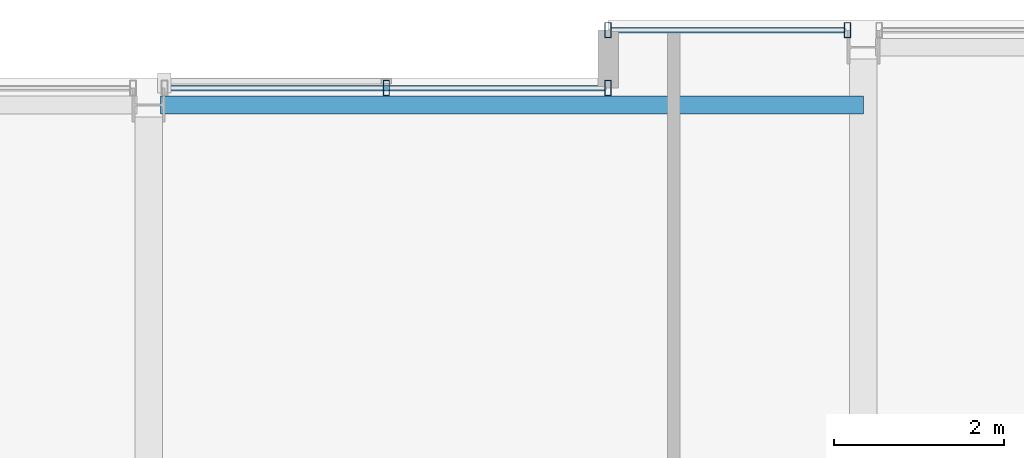
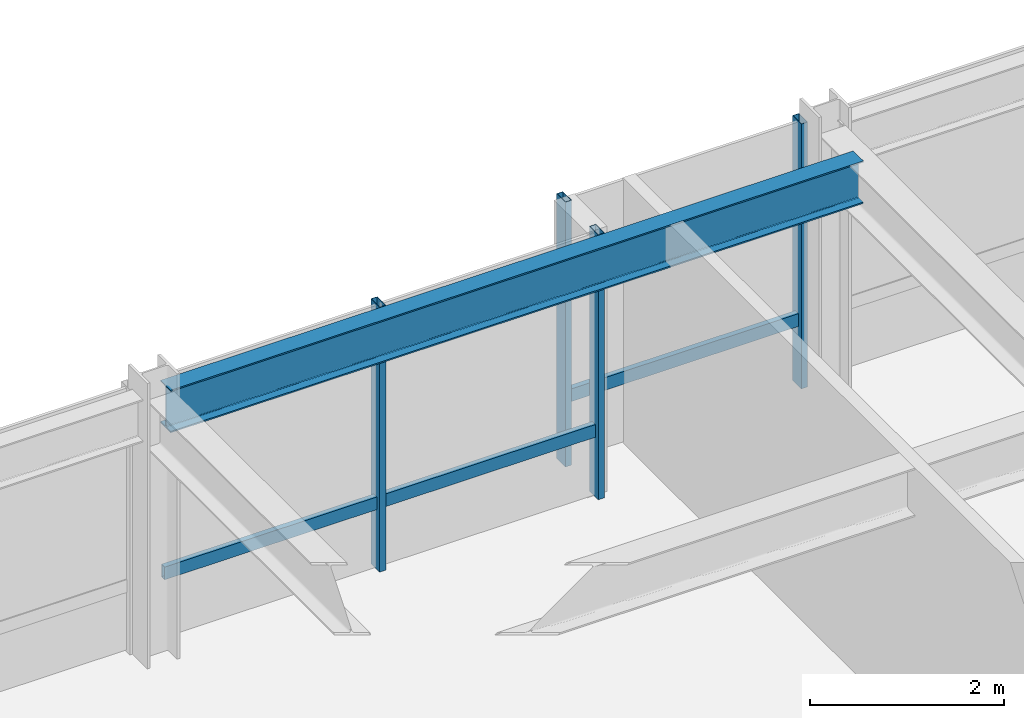
# One storey, part 21 of 32: 6 members, 1 beam, 2 elements without a shape of their own.
"""IFC4 building model written with IfcOpenShell, lengths in metres."""

from ifc_helpers import new_model, si_unit, direction, frame, origin, origin_2d, place, context, subcontext, project, spatial, hollow_rectangle, i_section, extrude, material, layer, layer_set, material_profile, profile_set, type_object, element, aggregate, save


model = new_model("IFC4")

# Units and contexts
model_context = context("Model", 3, precision=1e-05, world=origin(), true_north=direction((0.0, 1.0)))
body_context = subcontext(model_context, "Body", "Model", "MODEL_VIEW")
ifc_project = project(units=[si_unit("LENGTHUNIT", "METRE"), si_unit("AREAUNIT", "SQUARE_METRE"), si_unit("VOLUMEUNIT", "CUBIC_METRE"), si_unit("PLANEANGLEUNIT", "RADIAN"), si_unit("MASSUNIT", "GRAM", prefix="KILO")], contexts=[model_context])

# Site, building, storey
site_placement = place(None, origin())
site = spatial("IfcSite", under=ifc_project, at=site_placement, CompositionType="ELEMENT")
building_placement = place(site_placement, origin())
building = spatial("IfcBuilding", under=site, at=building_placement, Name="Drelvath Grand Hotel", CompositionType="ELEMENT")
storey_placement = place(building_placement, frame((0.0, 0.0, 233.89990234375)))
storey = spatial("IfcBuildingStorey", under=building, at=storey_placement, Name="L61", CompositionType="ELEMENT", Elevation=233.89990234375)

# Curtain wall, member
ifc_material_1 = material(Name="Platinum-Mist Anodised Aluminium Frame", Category="aluminium")
ifc_layer = layer(ifc_material_1, 0.199951171875)
ifc_layer_set = layer_set([ifc_layer], Name="Platinum-Mist Anodised Aluminium Frame")
curtain_wall_type = type_object("IfcCurtainWallType", Name="Stick Curtain Wall CW-05 Platinum Mist High-Rise", PredefinedType="NOTDEFINED", material=ifc_layer_set)
curtain_wall_1_placement = place(storey_placement, origin())
curtain_wall_1 = element("IfcCurtainWall", 1, at=curtain_wall_1_placement, inside=storey, type_object=curtain_wall_type, Name="L61 CW-05 Curtain Wall CW05-L61-NM2", PredefinedType="NOTDEFINED")
ifc_material_profile_1 = material_profile(ifc_material_1, hollow_rectangle(XDim=0.06494140625, YDim=0.159912109375, WallThickness=0.00390625, at=origin_2d()), Name="HSS160X65X4")
ifc_profile_set_1 = profile_set([ifc_material_profile_1], Name="Platinum-Mist Anodised Aluminium Frame")
member_type_1 = type_object("IfcMemberType", Name="Curtain Wall Horizontal Transom CW-05 HSS160X65X4", PredefinedType="USERDEFINED", material=ifc_profile_set_1)
member_1_placement = place(storey_placement, frame((0.225341796875, 48.39990234375, 0.835205078125), z_axis=(1.0, 0.0, 0.0), x_axis=(0.0, 1.0, 0.0)))
member_1 = element("IfcMember", 2, at=member_1_placement, type_object=member_type_1, Name="CW05-L61-NM2 Sill Transom", ObjectType="TRANSOM", PredefinedType="USERDEFINED", context=body_context, shape_type="SweptSolid", body=[
    extrude(hollow_rectangle(XDim=0.06494140625, YDim=0.159912109375, WallThickness=0.00390625, at=origin_2d()), origin(), (0.0, 0.0, 1.0), 5.134765625),
])

curtain_wall_2_placement = place(storey_placement, origin())
curtain_wall_2 = element("IfcCurtainWall", 3, at=curtain_wall_2_placement, inside=storey, type_object=curtain_wall_type, Name="L61 CW-05 Curtain Wall CW05-L61-NE1", PredefinedType="NOTDEFINED")
member_2_placement = place(storey_placement, frame((5.43994140625, 49.080078125, 0.835205078125), z_axis=(1.0, 0.0, 0.0), x_axis=(0.0, 1.0, 0.0)))
member_2 = element("IfcMember", 4, at=member_2_placement, type_object=member_type_1, Name="CW05-L61-NE1 Sill Transom", ObjectType="TRANSOM", PredefinedType="USERDEFINED", context=body_context, shape_type="SweptSolid", body=[
    extrude(hollow_rectangle(XDim=0.06494140625, YDim=0.159912109375, WallThickness=0.00390625, at=origin_2d()), origin(), (0.0, 0.0, 1.0), 2.73486328125),
])

# Member
ifc_material_profile_2 = material_profile(ifc_material_1, hollow_rectangle(XDim=0.074951171875, YDim=0.179931640625, WallThickness=0.0048828125, at=origin_2d()), Name="HSS180X75X5")
ifc_profile_set_2 = profile_set([ifc_material_profile_2], Name="Platinum-Mist Anodised Aluminium Frame")
member_type_2 = type_object("IfcMemberType", Name="Curtain Wall Vertical Mullion CW-05 HSS180X75X5", PredefinedType="MULLION", material=ifc_profile_set_2)
member_3_placement = place(storey_placement, frame((2.792724609375, 48.39990234375, 0.0), z_axis=(0.0, 0.0, 1.0), x_axis=(1.0, 0.0, 0.0)))
member_3 = element("IfcMember", 5, at=member_3_placement, type_object=member_type_2, Name="CW05-L61-NM2 Mullion 2", PredefinedType="MULLION", context=body_context, shape_type="SweptSolid", body=[
    extrude(hollow_rectangle(XDim=0.074951171875, YDim=0.179931640625, WallThickness=0.0048828125, at=origin_2d()), origin(), (0.0, 0.0, 1.0), 3.340087890625),
])

member_4_placement = place(storey_placement, frame((5.39990234375, 48.39990234375, 0.0), z_axis=(0.0, 0.0, 1.0), x_axis=(1.0, 0.0, 0.0)))
member_4 = element("IfcMember", 6, at=member_4_placement, type_object=member_type_2, Name="CW05-L61-NM2 Mullion 3", PredefinedType="MULLION", context=body_context, shape_type="SweptSolid", body=[
    extrude(hollow_rectangle(XDim=0.074951171875, YDim=0.179931640625, WallThickness=0.0048828125, at=origin_2d()), origin(), (0.0, 0.0, 1.0), 3.340087890625),
])

aggregate(curtain_wall_1, [member_3, member_4, member_1])

member_5_placement = place(storey_placement, frame((5.39990234375, 49.080078125, 0.0), z_axis=(0.0, 0.0, 1.0), x_axis=(1.0, 0.0, 0.0)))
member_5 = element("IfcMember", 7, at=member_5_placement, type_object=member_type_2, Name="CW05-L61-NE1 Mullion 1", PredefinedType="MULLION", context=body_context, shape_type="SweptSolid", body=[
    extrude(hollow_rectangle(XDim=0.074951171875, YDim=0.179931640625, WallThickness=0.0048828125, at=origin_2d()), origin(), (0.0, 0.0, 1.0), 3.340087890625),
])

member_6_placement = place(storey_placement, frame((8.214599609375, 49.080078125, 0.0), z_axis=(0.0, 0.0, 1.0), x_axis=(1.0, 0.0, 0.0)))
member_6 = element("IfcMember", 8, at=member_6_placement, type_object=member_type_2, Name="CW05-L61-NE1 Mullion 2", PredefinedType="MULLION", context=body_context, shape_type="SweptSolid", body=[
    extrude(hollow_rectangle(XDim=0.074951171875, YDim=0.179931640625, WallThickness=0.0048828125, at=origin_2d()), origin(), (0.0, 0.0, 1.0), 3.340087890625),
])

aggregate(curtain_wall_2, [member_5, member_6, member_2])

# Beam
ifc_material_2 = material(Name="Steel ASTM A992 Gr 50", Category="steel")
ifc_material_profile_3 = material_profile(ifc_material_2, i_section(OverallWidth=0.210205078125, OverallDepth=0.53662109375, WebThickness=0.010986328125, FlangeThickness=0.017333984375, FilletRadius=0.01806640625, at=origin_2d()), Name="W21X68")
ifc_profile_set_3 = profile_set([ifc_material_profile_3], Name="Steel ASTM A992 Gr 50")
beam_type = type_object("IfcBeamType", Name="Perimeter Spandrel Beam W21X68", PredefinedType="SPANDREL", material=ifc_profile_set_3)
beam_placement = place(storey_placement, frame((0.139892578125, 48.199951171875, 3.07177734375), z_axis=(1.0, 0.0, 0.0), x_axis=(0.0, 1.0, 0.0)))
element("IfcBeam", 9, at=beam_placement, inside=storey, type_object=beam_type, Name="L61 Spandrel North Mid E", PredefinedType="SPANDREL", context=body_context, shape_type="SweptSolid", body=[
    extrude(i_section(OverallWidth=0.210205078125, OverallDepth=0.53662109375, WebThickness=0.010986328125, FlangeThickness=0.017333984375, FilletRadius=0.01806640625, at=origin_2d()), origin(), (0.0, 0.0, 1.0), 8.260009765625),
])

save(model, "model.ifc")
